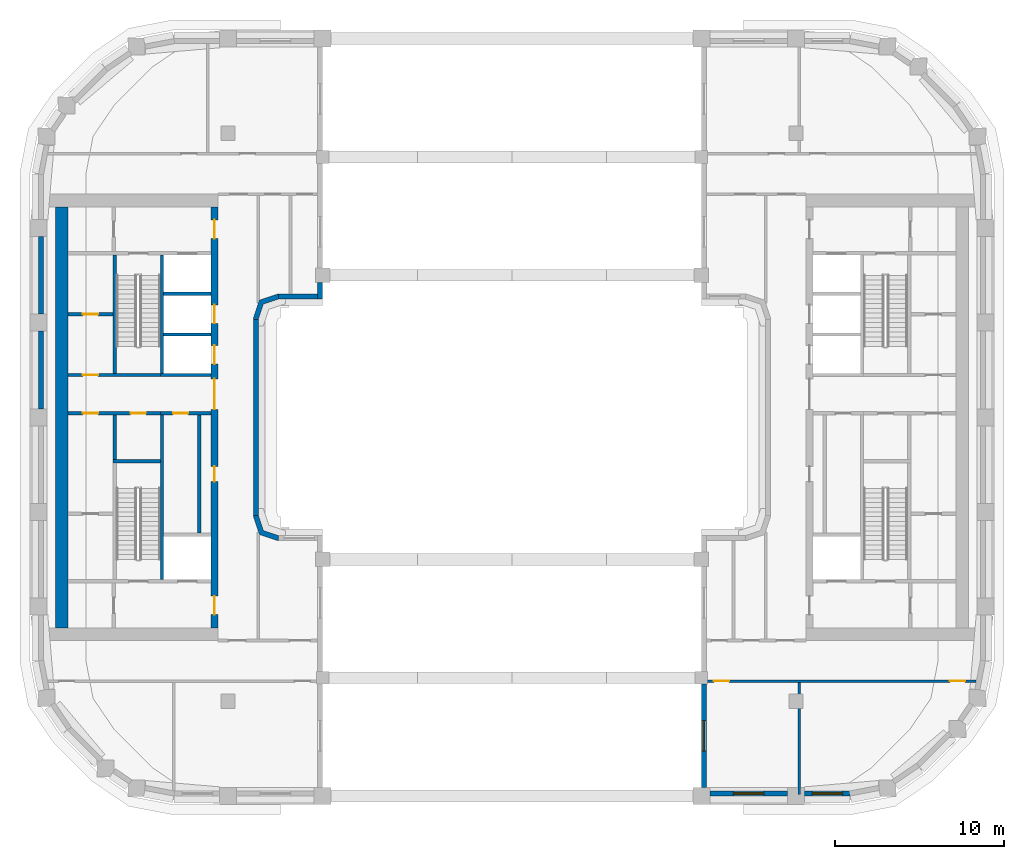
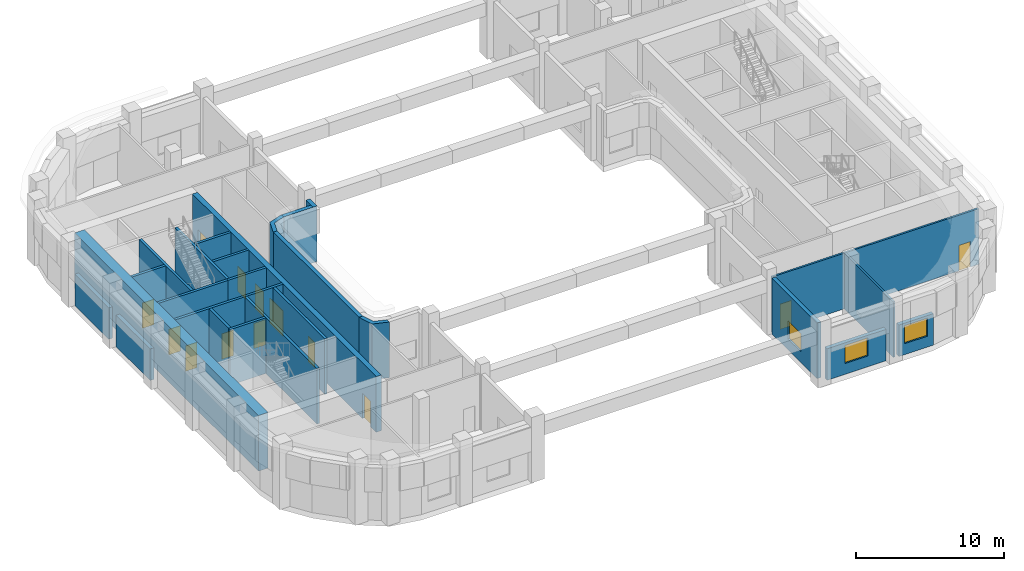
# One storey, part 3 of 14: 27 walls, 13 doors, 3 windows, 16 openings.
"""IFC4 building model written with IfcOpenShell, lengths in metres."""

from ifc_helpers import new_model, si_unit, direction, frame, frame_2d, origin, place, context, subcontext, project, spatial, polyline, rectangle, outline, extrude, material, layer, layer_set, type_object, element, fill, save


model = new_model("IFC4")

# Units and contexts
model_context = context("Model", 3, precision=1e-05, world=origin(), true_north=direction((0.0, 1.0)))
body_context = subcontext(model_context, "Body", "Model", "MODEL_VIEW")
ifc_project = project(units=[si_unit("LENGTHUNIT", "METRE"), si_unit("AREAUNIT", "SQUARE_METRE"), si_unit("VOLUMEUNIT", "CUBIC_METRE"), si_unit("PLANEANGLEUNIT", "RADIAN"), si_unit("MASSUNIT", "GRAM", prefix="KILO")], contexts=[model_context])

# Site, building, storey
site_placement = place(None, origin())
site = spatial("IfcSite", under=ifc_project, at=site_placement, CompositionType="ELEMENT")
building_placement = place(site_placement, origin())
building = spatial("IfcBuilding", under=site, at=building_placement, Name="Kiln Ring Residences", CompositionType="ELEMENT")
storey_placement = place(building_placement, frame((0.0, 0.0, 183.5)))
storey = spatial("IfcBuildingStorey", under=building, at=storey_placement, Name="L47", CompositionType="ELEMENT", Elevation=183.5)

# Wall
ifc_material_1 = material(Name="Gypsum board on steel studs", Category="steel")
ifc_layer_1 = layer(ifc_material_1, 0.199951171875)
ifc_layer_set_1 = layer_set([ifc_layer_1], Name="CORE-PARTITION-200")
wall_type_1 = type_object("IfcWallType", Name="CORE-PARTITION-200", PredefinedType="PARTITIONING", material=ifc_layer_set_1)
wall_1_placement = place(storey_placement, frame((-23.5, -2.5, 0.0), z_axis=(0.0, 0.0, 1.0), x_axis=(0.0, 1.0, 0.0)))
element("IfcWall", 1, at=wall_1_placement, inside=storey, type_object=wall_type_1, Name="Core partition west L47 1", PredefinedType="PARTITIONING", context=body_context, shape_type="SweptSolid", body=[
    extrude(rectangle(XDim=2.64990234375, YDim=0.199951171875, at=frame_2d((1.324951171875, 0.0))), origin(), (0.0, 0.0, 1.0), 4.60009765625),
])

# Wall, openings, doors
wall_2_placement = place(storey_placement, frame((-20.800048828125, 0.25, 0.0), z_axis=(0.0, 0.0, 1.0), x_axis=(-1.0, 0.0, 0.0)))
wall_2 = element("IfcWall", 2, at=wall_2_placement, inside=storey, type_object=wall_type_1, Name="Core partition west L47 2", PredefinedType="PARTITIONING", context=body_context, shape_type="SweptSolid", body=[
    extrude(rectangle(XDim=5.449951171875, YDim=0.199951171875, at=frame_2d((2.72509765625, 0.0))), origin(), (0.0, 0.0, 1.0), 4.60009765625),
])
opening_1_placement = place(wall_2_placement, frame((0.85009765625, 0.0, 0.0)))
opening_1 = element("IfcOpeningElement", 3, at=opening_1_placement, cuts=wall_2, Name="Opening L47-CW14", PredefinedType="OPENING", context=body_context, shape_type="SweptSolid", body=[
    extrude(rectangle(XDim=0.89990234375, YDim=2.10009765625, at=frame_2d((0.449951171875, 1.050048828125))), frame((0.0, 0.10986328125, 0.0), z_axis=(0.0, -1.0, 0.0), x_axis=(1.0, 0.0, 0.0)), (0.0, 0.0, 1.0), 0.219970703125),
])
opening_2_placement = place(wall_2_placement, frame((3.675048828125, 0.0, 0.0)))
opening_2 = element("IfcOpeningElement", 4, at=opening_2_placement, cuts=wall_2, Name="Opening L47-CW16", PredefinedType="OPENING", context=body_context, shape_type="SweptSolid", body=[
    extrude(rectangle(XDim=0.89990234375, YDim=2.10009765625, at=frame_2d((0.449951171875, 1.050048828125))), frame((0.0, 0.10986328125, 0.0), z_axis=(0.0, -1.0, 0.0), x_axis=(1.0, 0.0, 0.0)), (0.0, 0.0, 1.0), 0.219970703125),
])
ifc_material_2 = material(Name="Steel door leaf", Category="steel")
door_type_1 = type_object("IfcDoorType", Name="CORE-DOOR-ROOM", OperationType="SINGLE_SWING_LEFT", PredefinedType="DOOR", material=ifc_material_2)
door_1_placement = place(opening_1_placement, origin())
door_1 = element("IfcDoor", 5, at=door_1_placement, inside=storey, type_object=door_type_1, Name="Housekeeping store L47-CW14", OperationType="SINGLE_SWING_RIGHT", OverallHeight=2.10009765625, OverallWidth=0.89990234375, PredefinedType="DOOR", context=body_context, shape_type="SweptSolid", body=[
    extrude(rectangle(XDim=0.89990234375, YDim=2.10009765625, at=frame_2d((0.449951171875, 1.050048828125))), frame((0.0, 0.02490234375, 0.0), z_axis=(0.0, -1.0, 0.0), x_axis=(1.0, 0.0, 0.0)), (0.0, 0.0, 1.0), 0.050048828125),
])
fill(opening_1, door_1)
door_2_placement = place(opening_2_placement, origin())
door_2 = element("IfcDoor", 6, at=door_2_placement, inside=storey, type_object=door_type_1, Name="Battery room L47-CW16", OperationType="SINGLE_SWING_RIGHT", OverallHeight=2.10009765625, OverallWidth=0.89990234375, PredefinedType="DOOR", context=body_context, shape_type="SweptSolid", body=[
    extrude(rectangle(XDim=0.89990234375, YDim=2.10009765625, at=frame_2d((0.449951171875, 1.050048828125))), frame((0.0, 0.02490234375, 0.0), z_axis=(0.0, -1.0, 0.0), x_axis=(1.0, 0.0, 0.0)), (0.0, 0.0, 1.0), 0.050048828125),
])
fill(opening_2, door_2)

# Wall
wall_3_placement = place(storey_placement, frame((-18.5, -6.85009765625, 0.0), z_axis=(0.0, 0.0, 1.0), x_axis=(0.0, 1.0, 0.0)))
element("IfcWall", 7, at=wall_3_placement, inside=storey, type_object=wall_type_1, Name="Core partition west L47 3", PredefinedType="PARTITIONING", context=body_context, shape_type="SweptSolid", body=[
    extrude(rectangle(XDim=7.0, YDim=0.199951171875, at=frame_2d((3.5, 0.0))), origin(), (0.0, 0.0, 1.0), 4.60009765625),
])

# Wall, opening, door
wall_4_placement = place(storey_placement, frame((-23.60009765625, 6.10009765625, 0.0), z_axis=(0.0, 0.0, 1.0), x_axis=(-1.0, 0.0, 0.0)))
wall_4 = element("IfcWall", 8, at=wall_4_placement, inside=storey, type_object=wall_type_1, Name="Core partition west L47 7", PredefinedType="PARTITIONING", context=body_context, shape_type="SweptSolid", body=[
    extrude(rectangle(XDim=2.64990234375, YDim=0.199951171875, at=frame_2d((1.324951171875, 0.0))), origin(), (0.0, 0.0, 1.0), 4.60009765625),
])
opening_3_placement = place(wall_4_placement, frame((0.875, 0.0, 0.0)))
opening_3 = element("IfcOpeningElement", 9, at=opening_3_placement, cuts=wall_4, Name="Opening L47-CW17", PredefinedType="OPENING", context=body_context, shape_type="SweptSolid", body=[
    extrude(rectangle(XDim=0.89990234375, YDim=2.10009765625, at=frame_2d((0.449951171875, 1.050048828125))), frame((0.0, 0.10986328125, 0.0), z_axis=(0.0, -1.0, 0.0), x_axis=(1.0, 0.0, 0.0)), (0.0, 0.0, 1.0), 0.219970703125),
])
door_3_placement = place(opening_3_placement, origin())
door_3 = element("IfcDoor", 10, at=door_3_placement, inside=storey, type_object=door_type_1, Name="Electrical plant room L47-CW17", OperationType="SINGLE_SWING_RIGHT", OverallHeight=2.10009765625, OverallWidth=0.89990234375, PredefinedType="DOOR", context=body_context, shape_type="SweptSolid", body=[
    extrude(rectangle(XDim=0.89990234375, YDim=2.10009765625, at=frame_2d((0.449951171875, 1.050048828125))), frame((0.0, 0.02490234375, 0.0), z_axis=(0.0, -1.0, 0.0), x_axis=(1.0, 0.0, 0.0)), (0.0, 0.0, 1.0), 0.050048828125),
])
fill(opening_3, door_3)

ifc_material_3 = material(Name="Gypsum shaft wall system")
ifc_layer_2 = layer(ifc_material_3, 0.199951171875)
ifc_layer_set_2 = layer_set([ifc_layer_2], Name="CORE-SHAFT-WALL-200")
wall_type_2 = type_object("IfcWallType", Name="CORE-SHAFT-WALL-200", PredefinedType="PARTITIONING", material=ifc_layer_set_2)
wall_5_placement = place(storey_placement, frame((-17.800048828125, 0.25, 0.0), z_axis=(0.0, 0.0, 1.0), x_axis=(-1.0, 0.0, 0.0)))
wall_5 = element("IfcWall", 11, at=wall_5_placement, inside=storey, type_object=wall_type_2, Name="Core partition west L47 9", PredefinedType="PARTITIONING", context=body_context, shape_type="SweptSolid", body=[
    extrude(rectangle(XDim=3.0, YDim=0.199951171875, at=frame_2d((1.5, 0.0))), origin(), (0.0, 0.0, 1.0), 4.60009765625),
])
opening_4_placement = place(wall_5_placement, frame((1.35009765625, 0.0, 0.0)))
opening_4 = element("IfcOpeningElement", 12, at=opening_4_placement, cuts=wall_5, Name="Opening L47-CW03", PredefinedType="OPENING", context=body_context, shape_type="SweptSolid", body=[
    extrude(rectangle(XDim=0.89990234375, YDim=2.10009765625, at=frame_2d((0.449951171875, 1.050048828125))), frame((0.0, 0.10986328125, 0.0), z_axis=(0.0, -1.0, 0.0), x_axis=(1.0, 0.0, 0.0)), (0.0, 0.0, 1.0), 0.219970703125),
])
door_4_placement = place(opening_4_placement, origin())
door_4 = element("IfcDoor", 13, at=door_4_placement, inside=storey, type_object=door_type_1, Name="Goods store L47-CW03", OperationType="SINGLE_SWING_LEFT", OverallHeight=2.10009765625, OverallWidth=0.89990234375, PredefinedType="DOOR", context=body_context, shape_type="SweptSolid", body=[
    extrude(rectangle(XDim=0.89990234375, YDim=2.10009765625, at=frame_2d((0.449951171875, 1.050048828125))), frame((0.0, 0.02490234375, 0.0), z_axis=(0.0, -1.0, 0.0), x_axis=(1.0, 0.0, 0.0)), (0.0, 0.0, 1.0), 0.050048828125),
])
fill(opening_4, door_4)

# Walls
wall_6_placement = place(storey_placement, frame((-17.800048828125, 2.5, 0.0), z_axis=(0.0, 0.0, 1.0), x_axis=(-1.0, 0.0, 0.0)))
element("IfcWall", 14, at=wall_6_placement, inside=storey, type_object=wall_type_2, Name="Core partition west L47 10", PredefinedType="PARTITIONING", context=body_context, shape_type="SweptSolid", body=[
    extrude(rectangle(XDim=3.0, YDim=0.199951171875, at=frame_2d((1.5, 0.0))), origin(), (0.0, 0.0, 1.0), 4.60009765625),
])
for number, where, z_axis, x_axis, name in (
    (15, (-17.800048828125, 4.89990234375, 0.0), (0.0, 0.0, 1.0), (-1.0, 0.0, 0.0), "Core partition west L47 11"),
    (16, (-17.800048828125, 7.300048828125, 0.0), (0.0, 0.0, 1.0), (-1.0, 0.0, 0.0), "Core partition west L47 12"),
):
    element("IfcWall", number, at=place(storey_placement, frame(where, z_axis=z_axis, x_axis=x_axis)), inside=storey, type_object=wall_type_2, Name=name, PredefinedType="PARTITIONING", context=body_context, shape_type="SweptSolid", body=[
        extrude(rectangle(XDim=2.800048828125, YDim=0.199951171875, at=frame_2d((1.39990234375, 0.0))), origin(), (0.0, 0.0, 1.0), 4.60009765625),
    ])
ifc_material_4 = material(Name="Concrete C40/50", Category="concrete")
ifc_layer_3 = layer(ifc_material_4, 0.199951171875)
ifc_layer_set_3 = layer_set([ifc_layer_3], Name="CORE-WALL-RC200")
wall_type_3 = type_object("IfcWallType", Name="CORE-WALL-RC200", PredefinedType="SHEAR", material=ifc_layer_set_3)
wall_7_placement = place(storey_placement, frame((-20.699951171875, 2.60009765625, 0.0), z_axis=(0.0, 0.0, 1.0), x_axis=(0.0, 1.0, 0.0)))
element("IfcWall", 17, at=wall_7_placement, inside=storey, type_object=wall_type_3, Name="Core wall west L47 1", PredefinedType="SHEAR", context=body_context, shape_type="SweptSolid", body=[
    extrude(rectangle(XDim=7.0, YDim=0.199951171875, at=frame_2d((3.5, 0.0))), origin(), (0.0, 0.0, 1.0), 4.60009765625),
])
wall_8_placement = place(storey_placement, frame((-20.699951171875, -9.60009765625, 0.0), z_axis=(0.0, 0.0, 1.0), x_axis=(0.0, 1.0, 0.0)))
element("IfcWall", 18, at=wall_8_placement, inside=storey, type_object=wall_type_3, Name="Core wall west L47 2", PredefinedType="SHEAR", context=body_context, shape_type="SweptSolid", body=[
    extrude(rectangle(XDim=9.75, YDim=0.199951171875, at=frame_2d((4.875, 0.0))), origin(), (0.0, 0.0, 1.0), 4.60009765625),
])

# Wall, opening, door
wall_9_placement = place(storey_placement, frame((-20.800048828125, 2.5, 0.0), z_axis=(0.0, 0.0, 1.0), x_axis=(-1.0, 0.0, 0.0)))
wall_9 = element("IfcWall", 19, at=wall_9_placement, inside=storey, type_object=wall_type_3, Name="Core wall west L47 3", PredefinedType="SHEAR", context=body_context, shape_type="SweptSolid", body=[
    extrude(rectangle(XDim=5.449951171875, YDim=0.199951171875, at=frame_2d((2.72509765625, 0.0))), origin(), (0.0, 0.0, 1.0), 4.60009765625),
])
opening_5_placement = place(wall_9_placement, frame((3.675048828125, 0.0, 0.0)))
opening_5 = element("IfcOpeningElement", 20, at=opening_5_placement, cuts=wall_9, Name="Opening L47-CW18", PredefinedType="OPENING", context=body_context, shape_type="SweptSolid", body=[
    extrude(rectangle(XDim=0.89990234375, YDim=2.10009765625, at=frame_2d((0.449951171875, 1.050048828125))), frame((0.0, 0.10986328125, 0.0), z_axis=(0.0, -1.0, 0.0), x_axis=(1.0, 0.0, 0.0)), (0.0, 0.0, 1.0), 0.219970703125),
])
door_5_placement = place(opening_5_placement, origin())
door_5 = element("IfcDoor", 21, at=door_5_placement, inside=storey, type_object=door_type_1, Name="Comms room L47-CW18", OperationType="SINGLE_SWING_LEFT", OverallHeight=2.10009765625, OverallWidth=0.89990234375, PredefinedType="DOOR", context=body_context, shape_type="SweptSolid", body=[
    extrude(rectangle(XDim=0.89990234375, YDim=2.10009765625, at=frame_2d((0.449951171875, 1.050048828125))), frame((0.0, 0.02490234375, 0.0), z_axis=(0.0, -1.0, 0.0), x_axis=(1.0, 0.0, 0.0)), (0.0, 0.0, 1.0), 0.050048828125),
])
fill(opening_5, door_5)

# Walls
wall_10_placement = place(storey_placement, frame((-23.5, 2.60009765625, 0.0), z_axis=(0.0, 0.0, 1.0), x_axis=(0.0, 1.0, 0.0)))
element("IfcWall", 22, at=wall_10_placement, inside=storey, type_object=wall_type_3, Name="Core wall west L47 10", PredefinedType="SHEAR", context=body_context, shape_type="SweptSolid", body=[
    extrude(rectangle(XDim=7.0, YDim=0.199951171875, at=frame_2d((3.5, 0.0))), origin(), (0.0, 0.0, 1.0), 4.60009765625),
])
wall_11_placement = place(storey_placement, frame((-20.800048828125, -2.60009765625, 0.0), z_axis=(0.0, 0.0, 1.0), x_axis=(-1.0, 0.0, 0.0)))
element("IfcWall", 23, at=wall_11_placement, inside=storey, type_object=wall_type_3, Name="Core wall west L47 12", PredefinedType="SHEAR", context=body_context, shape_type="SweptSolid", body=[
    extrude(rectangle(XDim=2.800048828125, YDim=0.199951171875, at=frame_2d((1.39990234375, 0.0))), origin(), (0.0, 0.0, 1.0), 4.60009765625),
])

# Wall, openings, doors
ifc_material_5 = material(Name="Concrete C60/75", Category="concrete")
ifc_layer_4 = layer(ifc_material_5, 0.39990234375)
ifc_layer_set_4 = layer_set([ifc_layer_4], Name="CORE-WALL-RC400")
wall_type_4 = type_object("IfcWallType", Name="CORE-WALL-RC400", PredefinedType="SHEAR", material=ifc_layer_set_4)
wall_12_placement = place(storey_placement, frame((-17.60009765625, -12.449951171875, 0.0), z_axis=(0.0, 0.0, 1.0), x_axis=(0.0, 1.0, 0.0)))
wall_12 = element("IfcWall", 24, at=wall_12_placement, inside=storey, type_object=wall_type_4, Name="Core wall west L47 6", PredefinedType="SHEAR", context=body_context, shape_type="SweptSolid", body=[
    extrude(rectangle(XDim=24.89990234375, YDim=0.39990234375, at=frame_2d((12.449951171875, 0.0))), origin(), (0.0, 0.0, 1.0), 4.60009765625),
])
opening_6_placement = place(wall_12_placement, frame((8.64990234375, 0.0, 0.0)))
opening_6 = element("IfcOpeningElement", 25, at=opening_6_placement, cuts=wall_12, Name="Opening L47-CW02", PredefinedType="OPENING", context=body_context, shape_type="SweptSolid", body=[
    extrude(rectangle(XDim=0.89990234375, YDim=2.10009765625, at=frame_2d((0.449951171875, 1.050048828125))), frame((0.0, 0.2099609375, 0.0), z_axis=(0.0, -1.0, 0.0), x_axis=(1.0, 0.0, 0.0)), (0.0, 0.0, 1.0), 0.419921875),
])
opening_7_placement = place(wall_12_placement, frame((15.60009765625, 0.0, 0.0)))
opening_7 = element("IfcOpeningElement", 26, at=opening_7_placement, cuts=wall_12, Name="Opening L47-CW04", PredefinedType="OPENING", context=body_context, shape_type="SweptSolid", body=[
    extrude(rectangle(XDim=1.10009765625, YDim=2.10009765625, at=frame_2d((0.550048828125, 1.050048828125))), frame((0.0, 0.2099609375, 0.0), z_axis=(0.0, -1.0, 0.0), x_axis=(1.0, 0.0, 0.0)), (0.0, 0.0, 1.0), 0.419921875),
])
opening_8_placement = place(wall_12_placement, frame((18.0, 0.0, 0.0)))
opening_8 = element("IfcOpeningElement", 27, at=opening_8_placement, cuts=wall_12, Name="Opening L47-CW05", PredefinedType="OPENING", context=body_context, shape_type="SweptSolid", body=[
    extrude(rectangle(XDim=1.10009765625, YDim=2.10009765625, at=frame_2d((0.550048828125, 1.050048828125))), frame((0.0, 0.2099609375, 0.0), z_axis=(0.0, -1.0, 0.0), x_axis=(1.0, 0.0, 0.0)), (0.0, 0.0, 1.0), 0.419921875),
])
opening_9_placement = place(wall_12_placement, frame((23.02490234375, 0.0, 0.0)))
opening_9 = element("IfcOpeningElement", 28, at=opening_9_placement, cuts=wall_12, Name="Opening L47-CW07", PredefinedType="OPENING", context=body_context, shape_type="SweptSolid", body=[
    extrude(rectangle(XDim=1.10009765625, YDim=2.10009765625, at=frame_2d((0.550048828125, 1.050048828125))), frame((0.0, 0.2099609375, 0.0), z_axis=(0.0, -1.0, 0.0), x_axis=(1.0, 0.0, 0.0)), (0.0, 0.0, 1.0), 0.419921875),
])
opening_10_placement = place(wall_12_placement, frame((0.77490234375, 0.0, 0.0)))
opening_10 = element("IfcOpeningElement", 29, at=opening_10_placement, cuts=wall_12, Name="Opening L47-CW08", PredefinedType="OPENING", context=body_context, shape_type="SweptSolid", body=[
    extrude(rectangle(XDim=1.10009765625, YDim=2.10009765625, at=frame_2d((0.550048828125, 1.050048828125))), frame((0.0, 0.2099609375, 0.0), z_axis=(0.0, -1.0, 0.0), x_axis=(1.0, 0.0, 0.0)), (0.0, 0.0, 1.0), 0.419921875),
])
opening_11_placement = place(wall_12_placement, frame((12.925048828125, 0.0, 0.0)))
opening_11 = element("IfcOpeningElement", 30, at=opening_11_placement, cuts=wall_12, Name="Opening L47-CW13", PredefinedType="OPENING", context=body_context, shape_type="SweptSolid", body=[
    extrude(rectangle(XDim=1.800048828125, YDim=2.10009765625, at=frame_2d((0.89990234375, 1.050048828125))), frame((0.0, 0.2099609375, 0.0), z_axis=(0.0, -1.0, 0.0), x_axis=(1.0, 0.0, 0.0)), (0.0, 0.0, 1.0), 0.419921875),
])
ifc_material_6 = material(Name="Steel door leaf", Category="steel")
door_type_2 = type_object("IfcDoorType", Name="CORE-DOOR-LD", OperationType="DOUBLE_DOOR_SLIDING", PredefinedType="DOOR", material=ifc_material_6)
door_6_placement = place(opening_7_placement, origin())
door_6 = element("IfcDoor", 31, at=door_6_placement, inside=storey, type_object=door_type_2, Name="LD W-M1 L47-CW04", OperationType="DOUBLE_DOOR_SLIDING", OverallHeight=2.10009765625, OverallWidth=1.10009765625, PredefinedType="DOOR", context=body_context, shape_type="SweptSolid", body=[
    extrude(rectangle(XDim=1.10009765625, YDim=2.10009765625, at=frame_2d((0.550048828125, 1.050048828125))), frame((0.0, 0.02490234375, 0.0), z_axis=(0.0, -1.0, 0.0), x_axis=(1.0, 0.0, 0.0)), (0.0, 0.0, 1.0), 0.050048828125),
])
fill(opening_7, door_6)
door_7_placement = place(opening_8_placement, origin())
door_7 = element("IfcDoor", 32, at=door_7_placement, inside=storey, type_object=door_type_2, Name="LD W-M2 L47-CW05", OperationType="DOUBLE_DOOR_SLIDING", OverallHeight=2.10009765625, OverallWidth=1.10009765625, PredefinedType="DOOR", context=body_context, shape_type="SweptSolid", body=[
    extrude(rectangle(XDim=1.10009765625, YDim=2.10009765625, at=frame_2d((0.550048828125, 1.050048828125))), frame((0.0, 0.02490234375, 0.0), z_axis=(0.0, -1.0, 0.0), x_axis=(1.0, 0.0, 0.0)), (0.0, 0.0, 1.0), 0.050048828125),
])
fill(opening_8, door_7)
ifc_material_7 = material(Name="Steel door leaf", Category="steel")
door_type_3 = type_object("IfcDoorType", Name="CORE-DOOR-LOBBY", OperationType="SINGLE_SWING_LEFT", PredefinedType="DOOR", material=ifc_material_7)
door_8_placement = place(opening_9_placement, origin())
door_8 = element("IfcDoor", 33, at=door_8_placement, inside=storey, type_object=door_type_3, Name="FFL L47-CW07", OperationType="SINGLE_SWING_RIGHT", OverallHeight=2.10009765625, OverallWidth=1.10009765625, PredefinedType="DOOR", context=body_context, shape_type="SweptSolid", body=[
    extrude(rectangle(XDim=1.10009765625, YDim=2.10009765625, at=frame_2d((0.550048828125, 1.050048828125))), frame((0.0, 0.02490234375, 0.0), z_axis=(0.0, -1.0, 0.0), x_axis=(1.0, 0.0, 0.0)), (0.0, 0.0, 1.0), 0.050048828125),
])
fill(opening_9, door_8)
door_9_placement = place(opening_10_placement, origin())
door_9 = element("IfcDoor", 34, at=door_9_placement, inside=storey, type_object=door_type_3, Name="SVL L47-CW08", OperationType="SINGLE_SWING_LEFT", OverallHeight=2.10009765625, OverallWidth=1.10009765625, PredefinedType="DOOR", context=body_context, shape_type="SweptSolid", body=[
    extrude(rectangle(XDim=1.10009765625, YDim=2.10009765625, at=frame_2d((0.550048828125, 1.050048828125))), frame((0.0, 0.02490234375, 0.0), z_axis=(0.0, -1.0, 0.0), x_axis=(1.0, 0.0, 0.0)), (0.0, 0.0, 1.0), 0.050048828125),
])
fill(opening_10, door_9)
ifc_material_8 = material(Name="Steel door leaf", Category="steel")
door_type_4 = type_object("IfcDoorType", Name="CORE-DOOR-PASS", OperationType="DOUBLE_DOOR_SINGLE_SWING", PredefinedType="DOOR", material=ifc_material_8)
door_10_placement = place(opening_11_placement, origin())
door_10 = element("IfcDoor", 35, at=door_10_placement, inside=storey, type_object=door_type_4, Name="Core passage L47-CW13", OperationType="DOUBLE_DOOR_SINGLE_SWING", OverallHeight=2.10009765625, OverallWidth=1.800048828125, PredefinedType="DOOR", context=body_context, shape_type="SweptSolid", body=[
    extrude(rectangle(XDim=1.800048828125, YDim=2.10009765625, at=frame_2d((0.89990234375, 1.050048828125))), frame((0.0, 0.02490234375, 0.0), z_axis=(0.0, -1.0, 0.0), x_axis=(1.0, 0.0, 0.0)), (0.0, 0.0, 1.0), 0.050048828125),
])
fill(opening_11, door_10)
door_11_placement = place(opening_6_placement, origin())
door_11 = element("IfcDoor", 36, at=door_11_placement, inside=storey, type_object=door_type_1, Name="Cleaner's store L47-CW02", OperationType="SINGLE_SWING_RIGHT", OverallHeight=2.10009765625, OverallWidth=0.89990234375, PredefinedType="DOOR", context=body_context, shape_type="SweptSolid", body=[
    extrude(rectangle(XDim=0.89990234375, YDim=2.10009765625, at=frame_2d((0.449951171875, 1.050048828125))), frame((0.0, 0.02490234375, 0.0), z_axis=(0.0, -1.0, 0.0), x_axis=(1.0, 0.0, 0.0)), (0.0, 0.0, 1.0), 0.050048828125),
])
fill(opening_6, door_11)

# Walls
ifc_material_9 = material(Name="Concrete C60/75", Category="concrete")
ifc_layer_5 = layer(ifc_material_9, 0.75)
ifc_layer_set_5 = layer_set([ifc_layer_5], Name="CORE-WALL-RC750")
wall_type_5 = type_object("IfcWallType", Name="CORE-WALL-RC750", PredefinedType="SHEAR", material=ifc_layer_set_5)
wall_13_placement = place(storey_placement, frame((-26.625, -12.449951171875, 0.0), z_axis=(0.0, 0.0, 1.0), x_axis=(0.0, 1.0, 0.0)))
element("IfcWall", 37, at=wall_13_placement, inside=storey, type_object=wall_type_5, Name="Core wall west L47 7", PredefinedType="SHEAR", context=body_context, shape_type="SweptSolid", body=[
    extrude(rectangle(XDim=24.89990234375, YDim=0.75, at=frame_2d((12.449951171875, 0.0))), origin(), (0.0, 0.0, 1.0), 4.60009765625),
])
ifc_material_10 = material(Name="Brick masonry, dark clay brick", Category="masonry")
ifc_layer_6 = layer(ifc_material_10, 0.300048828125)
ifc_layer_set_6 = layer_set([ifc_layer_6], Name="EW-300 BRICK WALL")
wall_type_6 = type_object("IfcWallType", Name="EW-300 BRICK WALL", PredefinedType="SOLIDWALL", material=ifc_layer_set_6)
wall_14_placement = place(storey_placement, frame((-15.14990234375, -5.800048828125, 0.0), z_axis=(0.0, 0.0, 1.0), x_axis=(0.0, 1.0, 0.0)))
element("IfcWall", 38, at=wall_14_placement, inside=storey, type_object=wall_type_6, Name="Facade wall L47 12", PredefinedType="SOLIDWALL", context=body_context, shape_type="SweptSolid", body=[
    extrude(rectangle(XDim=11.60009765625, YDim=0.300048828125, at=frame_2d((5.800048828125, 0.0))), origin(), (0.0, 0.0, 1.0), 4.60009765625),
])
wall_15_placement = place(storey_placement, frame((-13.800048828125, 7.14990234375, 0.0), z_axis=(0.0, 0.0, 1.0), x_axis=(1.0, 0.0, 0.0)))
element("IfcWall", 39, at=wall_15_placement, inside=storey, type_object=wall_type_6, Name="Facade wall L47 13", PredefinedType="SOLIDWALL", context=body_context, shape_type="SweptSolid", body=[
    extrude(rectangle(XDim=2.60009765625, YDim=0.300048828125, at=frame_2d((1.300048828125, 0.0))), origin(), (0.0, 0.0, 1.0), 4.60009765625),
])
wall_16_placement = place(storey_placement, frame((-11.35009765625, 7.0, 0.0), z_axis=(0.0, 0.0, 1.0), x_axis=(0.0, 1.0, 0.0)))
element("IfcWall", 40, at=wall_16_placement, inside=storey, type_object=wall_type_6, Name="Facade wall L47 14", PredefinedType="SOLIDWALL", context=body_context, shape_type="SweptSolid", body=[
    extrude(rectangle(XDim=0.97509765625, YDim=0.300048828125, at=frame_2d((0.487548828125, 0.0))), origin(), (0.0, 0.0, 1.0), 4.60009765625),
])
wall_17_placement = place(storey_placement, frame((-27.85009765625, 10.699951171875, 0.0), z_axis=(0.0, 0.0, 1.0), x_axis=(0.0, -1.0, 0.0)))
element("IfcWall", 41, at=wall_17_placement, inside=storey, type_object=wall_type_6, Name="Facade wall L47 25", PredefinedType="SOLIDWALL", context=body_context, shape_type="SweptSolid", body=[
    extrude(rectangle(XDim=4.599853515625, YDim=0.300048828125, at=frame_2d((2.2998046875, 0.0))), origin(), (0.0, 0.0, 1.0), 2.60009765625),
])
wall_18_placement = place(storey_placement, frame((-27.85009765625, 5.10009765625, 0.0), z_axis=(0.0, 0.0, 1.0), x_axis=(0.0, -1.0, 0.0)))
element("IfcWall", 42, at=wall_18_placement, inside=storey, type_object=wall_type_6, Name="Facade wall L47 26", PredefinedType="SOLIDWALL", context=body_context, shape_type="SweptSolid", body=[
    extrude(rectangle(XDim=4.60009765625, YDim=0.300048828125, at=frame_2d((2.300048828125, 0.0))), origin(), (0.0, 0.0, 1.0), 2.60009765625),
])

# Wall, opening, window
wall_19_placement = place(storey_placement, frame((11.35009765625, -15.77490234375, 0.0), z_axis=(0.0, 0.0, 1.0), x_axis=(0.0, -1.0, 0.0)))
wall_19 = element("IfcWall", 43, at=wall_19_placement, inside=storey, type_object=wall_type_6, Name="Facade wall L47 33", PredefinedType="SOLIDWALL", context=body_context, shape_type="SweptSolid", body=[
    extrude(rectangle(XDim=6.125, YDim=0.300048828125, at=frame_2d((3.0625, 0.0))), origin(), (0.0, 0.0, 1.0), 4.60009765625),
])
opening_12_placement = place(wall_19_placement, frame((2.16259765625, 0.0, 0.89990234375)))
opening_12 = element("IfcOpeningElement", 44, at=opening_12_placement, cuts=wall_19, Name="Opening LV1", PredefinedType="OPENING", context=body_context, shape_type="SweptSolid", body=[
    extrude(rectangle(XDim=1.800048828125, YDim=1.5, at=frame_2d((0.89990234375, 0.75))), frame((0.0, 0.159912109375, 0.0), z_axis=(0.0, -1.0, 0.0), x_axis=(1.0, 0.0, 0.0)), (0.0, 0.0, 1.0), 0.320068359375),
])
ifc_material_11 = material(Name="Aluminium louvre", Category="aluminium")
window_type = type_object("IfcWindowType", Name="LOUVRED VENT 1800 x 1500", PartitioningType="SINGLE_PANEL", PredefinedType="WINDOW", material=ifc_material_11)
window_1_placement = place(opening_12_placement, origin())
window_1 = element("IfcWindow", 45, at=window_1_placement, inside=storey, type_object=window_type, Name="Louvred vent L47 10", OverallHeight=1.5, OverallWidth=1.800048828125, PartitioningType="SINGLE_PANEL", PredefinedType="WINDOW", context=body_context, shape_type="SweptSolid", body=[
    extrude(rectangle(XDim=1.800048828125, YDim=1.5, at=frame_2d((0.89990234375, 0.75))), frame((0.0, 0.030029296875, 0.0), z_axis=(0.0, -1.0, 0.0), x_axis=(1.0, 0.0, 0.0)), (0.0, 0.0, 1.0), 0.06005859375),
])
fill(opening_12, window_1)

wall_20_placement = place(storey_placement, frame((11.699951171875, -22.25, 0.0), z_axis=(0.0, 0.0, 1.0), x_axis=(1.0, 0.0, 0.0)))
wall_20 = element("IfcWall", 46, at=wall_20_placement, inside=storey, type_object=wall_type_6, Name="Facade wall L47 34", PredefinedType="SOLIDWALL", context=body_context, shape_type="SweptSolid", body=[
    extrude(rectangle(XDim=4.60009765625, YDim=0.300048828125, at=frame_2d((2.300048828125, 0.0))), origin(), (0.0, 0.0, 1.0), 2.60009765625),
])
opening_13_placement = place(wall_20_placement, frame((1.39990234375, 0.0, 0.89990234375)))
opening_13 = element("IfcOpeningElement", 47, at=opening_13_placement, cuts=wall_20, Name="Opening LV1", PredefinedType="OPENING", context=body_context, shape_type="SweptSolid", body=[
    extrude(rectangle(XDim=1.800048828125, YDim=1.5, at=frame_2d((0.89990234375, 0.75))), frame((0.0, 0.159912109375, 0.0), z_axis=(0.0, -1.0, 0.0), x_axis=(1.0, 0.0, 0.0)), (0.0, 0.0, 1.0), 0.320068359375),
])
window_2_placement = place(opening_13_placement, origin())
window_2 = element("IfcWindow", 48, at=window_2_placement, inside=storey, type_object=window_type, Name="Louvred vent L47 11", OverallHeight=1.5, OverallWidth=1.800048828125, PartitioningType="SINGLE_PANEL", PredefinedType="WINDOW", context=body_context, shape_type="SweptSolid", body=[
    extrude(rectangle(XDim=1.800048828125, YDim=1.5, at=frame_2d((0.89990234375, 0.75))), frame((0.0, 0.030029296875, 0.0), z_axis=(0.0, -1.0, 0.0), x_axis=(1.0, 0.0, 0.0)), (0.0, 0.0, 1.0), 0.06005859375),
])
fill(opening_13, window_2)

wall_21_placement = place(storey_placement, frame((17.300048828125, -22.25, 0.0), z_axis=(0.0, 0.0, 1.0), x_axis=(1.0, 0.0, 0.0)))
wall_21 = element("IfcWall", 49, at=wall_21_placement, inside=storey, type_object=wall_type_6, Name="Facade wall L47 35", PredefinedType="SOLIDWALL", context=body_context, shape_type="SweptSolid", body=[
    extrude(rectangle(XDim=2.699951171875, YDim=0.300048828125, at=frame_2d((1.35009765625, 0.0))), origin(), (0.0, 0.0, 1.0), 2.60009765625),
])
opening_14_placement = place(wall_21_placement, frame((0.449951171875, 0.0, 0.89990234375)))
opening_14 = element("IfcOpeningElement", 50, at=opening_14_placement, cuts=wall_21, Name="Opening LV1", PredefinedType="OPENING", context=body_context, shape_type="SweptSolid", body=[
    extrude(rectangle(XDim=1.800048828125, YDim=1.5, at=frame_2d((0.89990234375, 0.75))), frame((0.0, 0.159912109375, 0.0), z_axis=(0.0, -1.0, 0.0), x_axis=(1.0, 0.0, 0.0)), (0.0, 0.0, 1.0), 0.320068359375),
])
window_3_placement = place(opening_14_placement, origin())
window_3 = element("IfcWindow", 51, at=window_3_placement, inside=storey, type_object=window_type, Name="Louvred vent L47 12", OverallHeight=1.5, OverallWidth=1.800048828125, PartitioningType="SINGLE_PANEL", PredefinedType="WINDOW", context=body_context, shape_type="SweptSolid", body=[
    extrude(rectangle(XDim=1.800048828125, YDim=1.5, at=frame_2d((0.89990234375, 0.75))), frame((0.0, 0.030029296875, 0.0), z_axis=(0.0, -1.0, 0.0), x_axis=(1.0, 0.0, 0.0)), (0.0, 0.0, 1.0), 0.06005859375),
])
fill(opening_14, window_3)

# Walls
placement = place(storey_placement, origin())
element("IfcWall", 52, at=placement, inside=storey, type_object=wall_type_6, Name="Corner wall L47 1", PredefinedType="SOLIDWALL", context=body_context, shape_type="SweptSolid", body=[
    extrude(outline(polyline([(-15.0, 5.800048828125), (-14.699951171875, 6.699951171875), (-13.800048828125, 7.0), (-13.800048828125, 7.300048828125), (-13.8486328125, 7.300048828125), (-14.937255859375, 6.937255859375), (-15.300048828125, 5.8486328125), (-15.300048828125, 5.800048828125), (-15.0, 5.800048828125)])), origin(), (0.0, 0.0, 1.0), 4.60009765625),
])
element("IfcWall", 53, at=placement, inside=storey, type_object=wall_type_6, Name="Corner wall L47 2", PredefinedType="SOLIDWALL", context=body_context, shape_type="SweptSolid", body=[
    extrude(outline(polyline([(-13.800048828125, -7.0), (-14.699951171875, -6.699951171875), (-15.0, -5.800048828125), (-15.300048828125, -5.800048828125), (-15.300048828125, -5.8486328125), (-14.937255859375, -6.937255859375), (-13.8486328125, -7.300048828125), (-13.800048828125, -7.300048828125), (-13.800048828125, -7.0)])), origin(), (0.0, 0.0, 1.0), 4.60009765625),
])

# Wall, openings, doors
ifc_material_12 = material(Name="Brick masonry partition", Category="masonry")
ifc_layer_7 = layer(ifc_material_12, 0.14990234375)
ifc_layer_set_7 = layer_set([ifc_layer_7], Name="PARTITION-150-ei60")
wall_type_7 = type_object("IfcWallType", Name="PARTITION-150-ei60", PredefinedType="PARTITIONING", material=ifc_layer_set_7)
wall_24_placement = place(storey_placement, frame((11.2900390625, -15.60009765625, 0.0), z_axis=(0.0, 0.0, 1.0), x_axis=(1.0, 0.0, 0.0)))
wall_24 = element("IfcWall", 54, at=wall_24_placement, inside=storey, type_object=wall_type_7, Name="Partition 001", PredefinedType="PARTITIONING", context=body_context, shape_type="SweptSolid", body=[
    extrude(rectangle(XDim=16.15576171875, YDim=0.14990234375, at=frame_2d((8.077880859375, 0.0))), origin(), (0.0, 0.0, 1.0), 4.60009765625),
])
opening_15_placement = place(wall_24_placement, frame((0.64990234375, 0.0, 0.0)))
opening_15 = element("IfcOpeningElement", 55, at=opening_15_placement, cuts=wall_24, Name="Opening L47-D017", PredefinedType="OPENING", context=body_context, shape_type="SweptSolid", body=[
    extrude(rectangle(XDim=0.89990234375, YDim=2.10009765625, at=frame_2d((0.449951171875, 1.050048828125))), frame((0.0, 0.0849609375, 0.0), z_axis=(0.0, -1.0, 0.0), x_axis=(1.0, 0.0, 0.0)), (0.0, 0.0, 1.0), 0.169921875),
])
opening_16_placement = place(wall_24_placement, frame((14.610107421875, 0.0, 0.0)))
opening_16 = element("IfcOpeningElement", 56, at=opening_16_placement, cuts=wall_24, Name="Opening L47-D018", PredefinedType="OPENING", context=body_context, shape_type="SweptSolid", body=[
    extrude(rectangle(XDim=0.89990234375, YDim=2.10009765625, at=frame_2d((0.449951171875, 1.050048828125))), frame((0.0, 0.0849609375, 0.0), z_axis=(0.0, -1.0, 0.0), x_axis=(1.0, 0.0, 0.0)), (0.0, 0.0, 1.0), 0.169921875),
])
ifc_material_13 = material(Name="Steel faced fire door leaf", Category="steel")
door_type_5 = type_object("IfcDoorType", Name="FLAT-DOOR-900-FR", OperationType="SINGLE_SWING_LEFT", PredefinedType="DOOR", material=ifc_material_13)
door_12_placement = place(opening_15_placement, origin())
door_12 = element("IfcDoor", 57, at=door_12_placement, inside=storey, type_object=door_type_5, Name="Door L47-D017", OperationType="SINGLE_SWING_LEFT", OverallHeight=2.10009765625, OverallWidth=0.89990234375, PredefinedType="DOOR", context=body_context, shape_type="SweptSolid", body=[
    extrude(rectangle(XDim=0.89990234375, YDim=2.10009765625, at=frame_2d((0.449951171875, 1.050048828125))), frame((0.0, 0.02490234375, 0.0), z_axis=(0.0, -1.0, 0.0), x_axis=(1.0, 0.0, 0.0)), (0.0, 0.0, 1.0), 0.050048828125),
])
fill(opening_15, door_12)
door_13_placement = place(opening_16_placement, origin())
door_13 = element("IfcDoor", 58, at=door_13_placement, inside=storey, type_object=door_type_5, Name="Door L47-D018", OperationType="SINGLE_SWING_RIGHT", OverallHeight=2.10009765625, OverallWidth=0.89990234375, PredefinedType="DOOR", context=body_context, shape_type="SweptSolid", body=[
    extrude(rectangle(XDim=0.89990234375, YDim=2.10009765625, at=frame_2d((0.449951171875, 1.050048828125))), frame((0.0, 0.02490234375, 0.0), z_axis=(0.0, -1.0, 0.0), x_axis=(1.0, 0.0, 0.0)), (0.0, 0.0, 1.0), 0.050048828125),
])
fill(opening_16, door_13)

# Wall
wall_25_placement = place(storey_placement, frame((17.0, -22.31005859375, 0.0), z_axis=(0.0, 0.0, 1.0), x_axis=(0.0, 1.0, 0.0)))
element("IfcWall", 59, at=wall_25_placement, inside=storey, type_object=wall_type_7, Name="Partition 016", PredefinedType="PARTITIONING", context=body_context, shape_type="SweptSolid", body=[
    extrude(rectangle(XDim=6.635009765625, YDim=0.14990234375, at=frame_2d((3.3173828125, 0.0))), origin(), (0.0, 0.0, 1.0), 4.60009765625),
])

save(model, "model.ifc")
